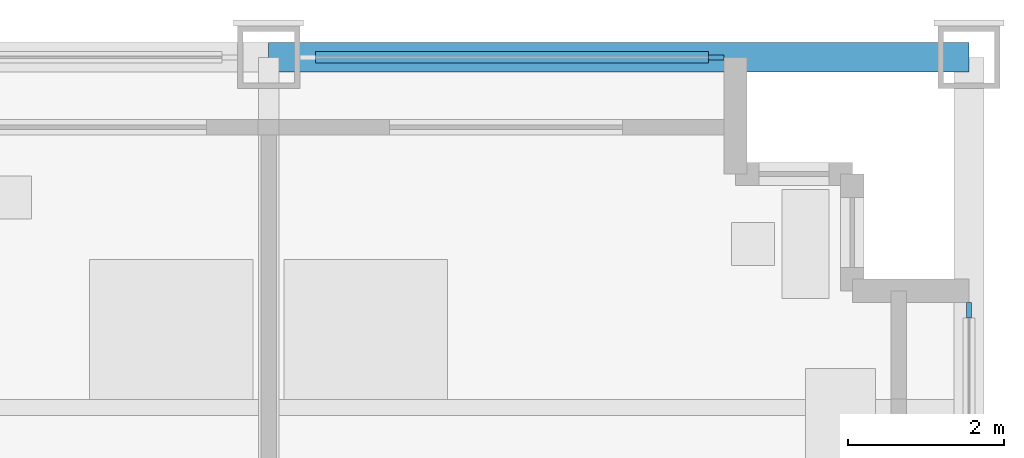
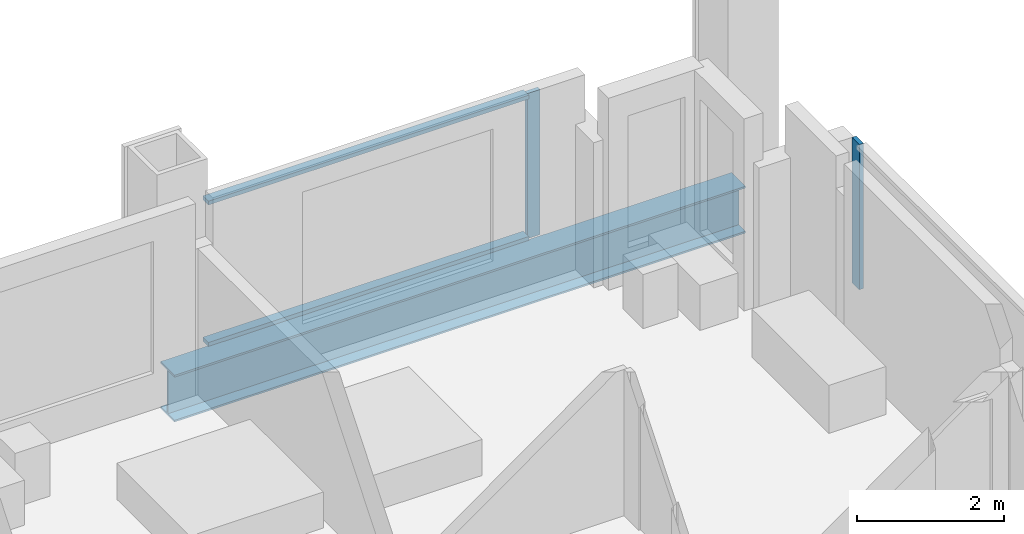
# One storey, part 7 of 16: 4 members, 1 beam, 2 elements without a shape of their own.
"""IFC4 building model written with IfcOpenShell, lengths in metres."""

from ifc_helpers import new_model, si_unit, direction, frame, origin, origin_2d, place, context, subcontext, project, spatial, rectangle, i_section, extrude, material, material_profile, profile_set, type_object, element, aggregate, save


model = new_model("IFC4")

# Units and contexts
model_context = context("Model", 3, precision=1e-05, world=origin(), true_north=direction((0.0, 1.0)))
body_context = subcontext(model_context, "Body", "Model", "MODEL_VIEW")
ifc_project = project(units=[si_unit("LENGTHUNIT", "METRE"), si_unit("AREAUNIT", "SQUARE_METRE"), si_unit("VOLUMEUNIT", "CUBIC_METRE"), si_unit("PLANEANGLEUNIT", "RADIAN"), si_unit("MASSUNIT", "GRAM", prefix="KILO")], contexts=[model_context])

# Site, building, storey
site_placement = place(None, origin())
site = spatial("IfcSite", under=ifc_project, at=site_placement, CompositionType="ELEMENT")
building_placement = place(site_placement, origin())
building = spatial("IfcBuilding", under=site, at=building_placement, Name="Loomwork Tower", CompositionType="ELEMENT")
storey_placement = place(building_placement, frame((0.0, 0.0, 97.60009765625)))
storey = spatial("IfcBuildingStorey", under=building, at=storey_placement, Name="L25", CompositionType="ELEMENT", Elevation=97.60009765625)

# Curtain wall, member
ifc_material_1 = material(Name="Aluminium curtain wall frame", Category="aluminium")
curtain_wall_type = type_object("IfcCurtainWallType", Name="Outer skin glazing hotel", PredefinedType="NOTDEFINED", material=ifc_material_1)
curtain_wall_1_placement = place(storey_placement, origin())
curtain_wall_1 = element("IfcCurtainWall", 1, at=curtain_wall_1_placement, inside=storey, type_object=curtain_wall_type, Name="Outer skin glazing hotel cw/N-36", PredefinedType="NOTDEFINED")
ifc_material_2 = material(Name="Aluminium curtain wall frame", Category="aluminium")
ifc_material_profile_1 = material_profile(ifc_material_2, rectangle(XDim=0.06494140625, YDim=0.199951171875, at=origin_2d()), Name="AL 65x200")
ifc_profile_set_1 = profile_set([ifc_material_profile_1], Name="Aluminium curtain wall frame")
member_type_1 = type_object("IfcMemberType", Name="Outer skin glazing hotel mullion", PredefinedType="MULLION", material=ifc_profile_set_1)
member_1_placement = place(storey_placement, frame((41.75, 36.0, 0.0), z_axis=(0.0, 0.0, 1.0), x_axis=(0.0, -1.0, 0.0)))
member_1 = element("IfcMember", 2, at=member_1_placement, type_object=member_type_1, Name="CW1 mullion 1", PredefinedType="MULLION", context=body_context, shape_type="SweptSolid", body=[
    extrude(rectangle(XDim=0.06494140625, YDim=0.199951171875, at=origin_2d()), origin(), (0.0, 0.0, 1.0), 2.420166015625),
])

curtain_wall_2_placement = place(storey_placement, origin())
curtain_wall_2 = element("IfcCurtainWall", 3, at=curtain_wall_2_placement, inside=storey, type_object=curtain_wall_type, Name="Outer skin glazing hotel cw/E-27", PredefinedType="NOTDEFINED")
member_2_placement = place(storey_placement, frame((45.0, 32.75, 0.0), z_axis=(0.0, 0.0, 1.0), x_axis=(-1.0, 0.0, 0.0)))
member_2 = element("IfcMember", 4, at=member_2_placement, type_object=member_type_1, Name="CW1 mullion 2", PredefinedType="MULLION", context=body_context, shape_type="SweptSolid", body=[
    extrude(rectangle(XDim=0.06494140625, YDim=0.199951171875, at=origin_2d()), origin(), (0.0, 0.0, 1.0), 2.420166015625),
])
aggregate(curtain_wall_2, [member_2])

# Member
ifc_material_3 = material(Name="Aluminium curtain wall frame", Category="aluminium")
ifc_material_profile_2 = material_profile(ifc_material_3, rectangle(XDim=0.14990234375, YDim=0.06494140625, at=origin_2d()), Name="AL 65x150")
ifc_profile_set_2 = profile_set([ifc_material_profile_2], Name="Aluminium curtain wall frame")
member_type_2 = type_object("IfcMemberType", Name="Outer skin glazing hotel transom", PredefinedType="USERDEFINED", material=ifc_profile_set_2)
member_3_placement = place(storey_placement, frame((41.64990234375, 36.0, 0.032470703125), z_axis=(-1.0, 0.0, 0.0), x_axis=(0.0, -1.0, 0.0)))
member_3 = element("IfcMember", 5, at=member_3_placement, type_object=member_type_2, Name="CW1 transom 1.1", ObjectType="TRANSOM", PredefinedType="USERDEFINED", context=body_context, shape_type="SweptSolid", body=[
    extrude(rectangle(XDim=0.14990234375, YDim=0.06494140625, at=origin_2d()), origin(), (0.0, 0.0, 1.0), 5.0498046875),
])

member_4_placement = place(storey_placement, frame((41.64990234375, 36.0, 2.3876953125), z_axis=(-1.0, 0.0, 0.0), x_axis=(0.0, -1.0, 0.0)))
member_4 = element("IfcMember", 6, at=member_4_placement, type_object=member_type_2, Name="CW1 transom 1.2", ObjectType="TRANSOM", PredefinedType="USERDEFINED", context=body_context, shape_type="SweptSolid", body=[
    extrude(rectangle(XDim=0.14990234375, YDim=0.06494140625, at=origin_2d()), origin(), (0.0, 0.0, 1.0), 5.0498046875),
])

aggregate(curtain_wall_1, [member_1, member_3, member_4])

# Beam
ifc_material_4 = material(Name="Steel ASTM A992", Category="steel")
ifc_material_profile_3 = material_profile(ifc_material_4, i_section(OverallWidth=0.381103515625, OverallDepth=0.77978515625, WebThickness=0.01806640625, FlangeThickness=0.0302734375, at=origin_2d()), Name="W30x191")
ifc_profile_set_3 = profile_set([ifc_material_profile_3], Name="Steel ASTM A992")
beam_type = type_object("IfcBeamType", Name="SPANDREL GIRDER W30x191", PredefinedType="SPANDREL", material=ifc_profile_set_3)
beam_placement = place(storey_placement, frame((36.0, 36.0, -0.590087890625), z_axis=(1.0, 0.0, 0.0), x_axis=(0.0, 1.0, 0.0)))
element("IfcBeam", 7, at=beam_placement, inside=storey, type_object=beam_type, Name="Spandrel Girder H/6-H/7 L25", PredefinedType="SPANDREL", context=body_context, shape_type="SweptSolid", body=[
    extrude(i_section(OverallWidth=0.381103515625, OverallDepth=0.77978515625, WebThickness=0.01806640625, FlangeThickness=0.0302734375, at=origin_2d()), origin(), (0.0, 0.0, 1.0), 9.0),
])

save(model, "model.ifc")
